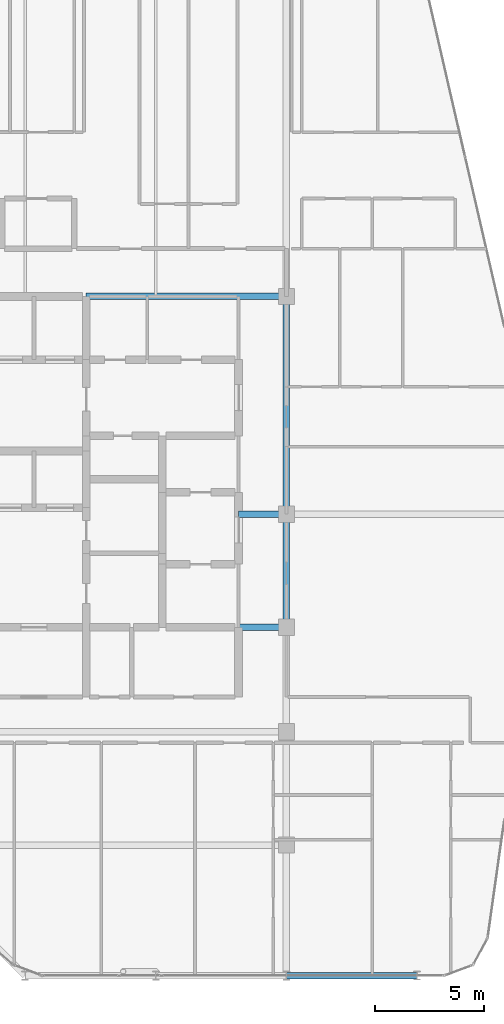
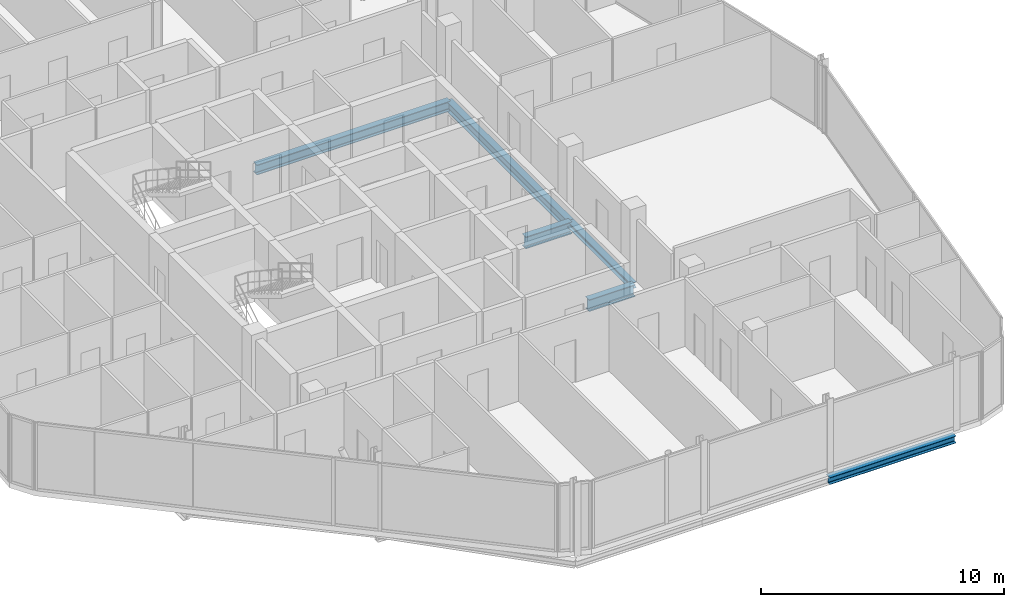
# One storey, part 11 of 27: 6 beams.
"""IFC4 building model written with IfcOpenShell, lengths in metres."""

from ifc_helpers import new_model, si_unit, direction, frame, origin, origin_2d, place, context, subcontext, project, spatial, i_section, extrude, material, material_profile, profile_set, type_object, element, save


model = new_model("IFC4")

# Units and contexts
model_context = context("Model", 3, precision=1e-05, world=origin(), true_north=direction((0.0, 1.0)))
body_context = subcontext(model_context, "Body", "Model", "MODEL_VIEW")
ifc_project = project(units=[si_unit("LENGTHUNIT", "METRE"), si_unit("AREAUNIT", "SQUARE_METRE"), si_unit("VOLUMEUNIT", "CUBIC_METRE"), si_unit("PLANEANGLEUNIT", "RADIAN"), si_unit("MASSUNIT", "GRAM", prefix="KILO")], contexts=[model_context])

# Site, building, storey
site_placement = place(None, origin())
site = spatial("IfcSite", under=ifc_project, at=site_placement, CompositionType="ELEMENT")
building_placement = place(site_placement, origin())
building = spatial("IfcBuilding", under=site, at=building_placement, Name="Keshet Zoharim Tower", CompositionType="ELEMENT")
storey_placement = place(building_placement, frame((0.0, 0.0, 269.5)))
storey = spatial("IfcBuildingStorey", under=building, at=storey_placement, Name="L67", CompositionType="ELEMENT", Elevation=269.5)

# Beams
ifc_material = material(Name="Steel S355", Category="steel")
ifc_material_profile_1 = material_profile(ifc_material, i_section(OverallWidth=0.300048828125, OverallDepth=0.60009765625, WebThickness=0.015380859375, FlangeThickness=0.030029296875, FilletRadius=0.027099609375, at=origin_2d()), Name="HEB600")
ifc_profile_set_1 = profile_set([ifc_material_profile_1], Name="Steel S355")
beam_type_1 = type_object("IfcBeamType", Name="BM-CLK-HB600", PredefinedType="BEAM", material=ifc_profile_set_1)
for number, where, z_axis, x_axis, name in (
    (1, (30.800048828125, 22.699951171875, -0.610107421875), (1.0, 0.0, 0.0), (0.0, 1.0, 0.0), "L67 Core Wall Link Girder 01"),
    (2, (30.800048828125, 27.89990234375, -0.610107421875), (1.0, 0.0, 0.0), (0.0, 1.0, 0.0), "L67 Core Wall Link Girder 02"),
):
    element("IfcBeam", number, at=place(storey_placement, frame(where, z_axis=z_axis, x_axis=x_axis)), inside=storey, type_object=beam_type_1, Name=name, PredefinedType="BEAM", context=body_context, shape_type="SweptSolid", body=[
        extrude(i_section(OverallWidth=0.300048828125, OverallDepth=0.60009765625, WebThickness=0.015380859375, FlangeThickness=0.030029296875, FilletRadius=0.027099609375, at=origin_2d()), origin(), (0.0, 0.0, 1.0), 2.199951171875),
    ])
ifc_material_profile_2 = material_profile(ifc_material, i_section(OverallWidth=0.300048828125, OverallDepth=0.5, WebThickness=0.014404296875, FlangeThickness=0.028076171875, FilletRadius=0.027099609375, at=origin_2d()), Name="HEB500")
ifc_profile_set_2 = profile_set([ifc_material_profile_2], Name="Steel S355")
beam_type_2 = type_object("IfcBeamType", Name="BM-MED-HB500", PredefinedType="BEAM", material=ifc_profile_set_2)
beam_1_placement = place(storey_placement, frame((23.800048828125, 37.89990234375, -0.56005859375), z_axis=(1.0, 0.0, 0.0), x_axis=(0.0, 1.0, 0.0)))
element("IfcBeam", 3, at=beam_1_placement, inside=storey, type_object=beam_type_2, Name="L67 Primary Girder X-009", PredefinedType="BEAM", context=body_context, shape_type="SweptSolid", body=[
    extrude(i_section(OverallWidth=0.300048828125, OverallDepth=0.5, WebThickness=0.014404296875, FlangeThickness=0.028076171875, FilletRadius=0.027099609375, at=origin_2d()), origin(), (0.0, 0.0, 1.0), 9.199951171875),
])
beam_2_placement = place(storey_placement, frame((33.0, 27.89990234375, -0.56005859375), z_axis=(0.0, 1.0, 0.0), x_axis=(-1.0, 0.0, 0.0)))
element("IfcBeam", 4, at=beam_2_placement, inside=storey, type_object=beam_type_2, Name="L67 Primary Girder Y-008", PredefinedType="BEAM", context=body_context, shape_type="SweptSolid", body=[
    extrude(i_section(OverallWidth=0.300048828125, OverallDepth=0.5, WebThickness=0.014404296875, FlangeThickness=0.028076171875, FilletRadius=0.027099609375, at=origin_2d()), origin(), (0.0, 0.0, 1.0), 10.0),
])
ifc_material_profile_3 = material_profile(ifc_material, i_section(OverallWidth=0.300048828125, OverallDepth=0.2900390625, WebThickness=0.008544921875, FlangeThickness=0.013916015625, FilletRadius=0.027099609375, at=origin_2d()), Name="HEA300")
ifc_profile_set_3 = profile_set([ifc_material_profile_3], Name="Steel S355")
beam_type_3 = type_object("IfcBeamType", Name="BM-PRI-HA300", PredefinedType="BEAM", material=ifc_profile_set_3)
beam_3_placement = place(storey_placement, frame((33.0, 22.699951171875, -0.455078125), z_axis=(0.0, 1.0, 0.0), x_axis=(-1.0, 0.0, 0.0)))
element("IfcBeam", 5, at=beam_3_placement, inside=storey, type_object=beam_type_3, Name="L67 Primary Girder Y-007", PredefinedType="BEAM", context=body_context, shape_type="SweptSolid", body=[
    extrude(i_section(OverallWidth=0.300048828125, OverallDepth=0.2900390625, WebThickness=0.008544921875, FlangeThickness=0.013916015625, FilletRadius=0.027099609375, at=origin_2d()), origin(), (0.0, 0.0, 1.0), 5.199951171875),
])
ifc_material_profile_4 = material_profile(ifc_material, i_section(OverallWidth=0.300048828125, OverallDepth=0.35009765625, WebThickness=0.010009765625, FlangeThickness=0.017578125, FilletRadius=0.027099609375, at=origin_2d()), Name="HEA360")
ifc_profile_set_4 = profile_set([ifc_material_profile_4], Name="Steel S355")
beam_type_4 = type_object("IfcBeamType", Name="BM-PRI-HA360", PredefinedType="BEAM", material=ifc_profile_set_4)
beam_4_placement = place(storey_placement, frame((33.0, 6.699951171875, -0.485107421875), z_axis=(1.0, 0.0, 0.0), x_axis=(0.0, 1.0, 0.0)))
element("IfcBeam", 6, at=beam_4_placement, inside=storey, type_object=beam_type_4, Name="L67 Primary Girder X-003", PredefinedType="BEAM", context=body_context, shape_type="SweptSolid", body=[
    extrude(i_section(OverallWidth=0.300048828125, OverallDepth=0.35009765625, WebThickness=0.010009765625, FlangeThickness=0.017578125, FilletRadius=0.027099609375, at=origin_2d()), origin(), (0.0, 0.0, 1.0), 6.0),
])

save(model, "model.ifc")
